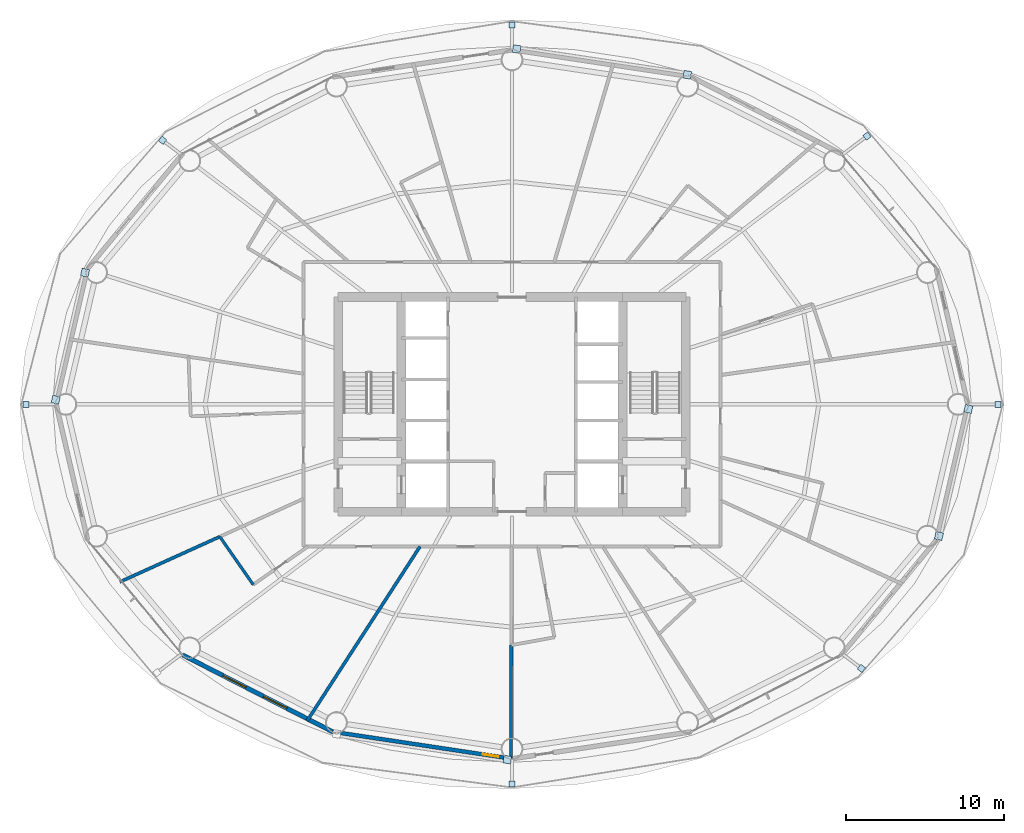
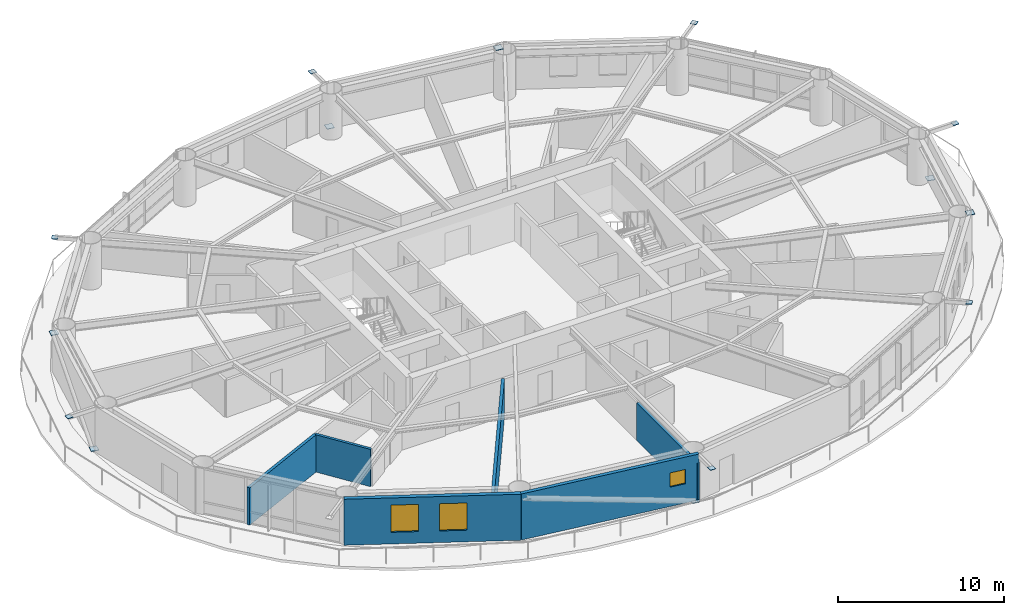
# One storey, part 17 of 24: 14 plates, 6 walls, 3 windows, 3 openings.
"""IFC4 building model written with IfcOpenShell, lengths in metres."""

from ifc_helpers import new_model, si_unit, direction, frame, frame_2d, origin, origin_2d, place, context, subcontext, project, spatial, rectangle, extrude, material, layer, layer_set, type_object, element, fill, save


model = new_model("IFC4")

# Units and contexts
model_context = context("Model", 3, precision=1e-05, world=origin(), true_north=direction((0.0, 1.0)))
body_context = subcontext(model_context, "Body", "Model", "MODEL_VIEW")
ifc_project = project(units=[si_unit("LENGTHUNIT", "METRE"), si_unit("AREAUNIT", "SQUARE_METRE"), si_unit("VOLUMEUNIT", "CUBIC_METRE"), si_unit("PLANEANGLEUNIT", "RADIAN"), si_unit("MASSUNIT", "GRAM", prefix="KILO")], contexts=[model_context])

# Site, building, storey
site_placement = place(None, origin())
site = spatial("IfcSite", under=ifc_project, at=site_placement, CompositionType="ELEMENT")
building_placement = place(site_placement, origin())
building = spatial("IfcBuilding", under=site, at=building_placement, Name="Sarneth Arch Tower", CompositionType="ELEMENT")
storey_placement = place(building_placement, frame((0.0, 0.0, 123.60009765625)))
storey = spatial("IfcBuildingStorey", under=building, at=storey_placement, Name="L31", CompositionType="ELEMENT", Elevation=123.60009765625)

# Plates
ifc_material_1 = material(Name="Steel S355", Category="steel")
ifc_layer_1 = layer(ifc_material_1, 0.035888671875)
ifc_layer_set_1 = layer_set([ifc_layer_1], Name="Steel S355")
plate_type = type_object("IfcPlateType", Name="PLT-GUSSET-30", PredefinedType="SHEET", material=ifc_layer_set_1)
for number, where, z_axis, x_axis, name in (
    (1, (78.773193359375, 42.0, 3.2021484375), (0.0, 0.0, 1.0), (1.0, 0.0, 0.0), "Steel end cap plate GP-1"),
    (2, (70.469970703125, 58.98095703125, 3.2021484375), (0.0, 0.0, 1.0), (0.797794439539, 0.602929541689, 0.0), "Steel end cap plate GP-1"),
):
    element("IfcPlate", number, at=place(storey_placement, frame(where, z_axis=z_axis, x_axis=x_axis)), inside=storey, type_object=plate_type, Name=name, PredefinedType="SHEET", context=body_context, shape_type="SweptSolid", body=[
        extrude(rectangle(XDim=0.3798828125, YDim=0.3798828125, at=origin_2d()), origin(), (0.0, 0.0, 1.0), 0.035888671875),
    ])
for number, where, z_axis, x_axis, name in (
    (3, (48.296630859375, 64.4853515625, 0.001953125), (0.0, 0.0, 1.0), (-0.988860535448, 0.148845024885, 0.0), "Steel end cap plate GP-1"),
    (4, (59.0927734375, 62.859619140625, 2.9951171875), (0.0, 0.0, 1.0), (-0.988860535448, 0.148845024885, 0.0), "Steel end cap plate GP-1"),
):
    element("IfcPlate", number, at=place(storey_placement, frame(where, z_axis=z_axis, x_axis=x_axis)), inside=storey, type_object=plate_type, Name=name, PredefinedType="SHEET", context=body_context, shape_type="SweptSolid", body=[
        extrude(rectangle(XDim=0.486083984375, YDim=0.486083984375, at=origin_2d()), origin(), (0.0, 0.0, 1.0), 0.035888671875),
    ])
for number, where, z_axis, x_axis, name in (
    (5, (48.0, 66.013427734375, 3.2021484375), (0.0, 0.0, 1.0), (0.0, 1.0, 0.0), "Steel end cap plate GP-1"),
    (6, (25.885009765625, 58.712646484375, 3.2021484375), (0.0, 0.0, 1.0), (-0.797794439539, 0.602929541689, 0.0), "Steel end cap plate GP-1"),
):
    element("IfcPlate", number, at=place(storey_placement, frame(where, z_axis=z_axis, x_axis=x_axis)), inside=storey, type_object=plate_type, Name=name, PredefinedType="SHEET", context=body_context, shape_type="SweptSolid", body=[
        extrude(rectangle(XDim=0.3798828125, YDim=0.3798828125, at=origin_2d()), origin(), (0.0, 0.0, 1.0), 0.035888671875),
    ])
for number, where, z_axis, x_axis, name in (
    (7, (19.121337890625, 42.292236328125, 0.001953125), (0.0, 0.0, 1.0), (-0.225291159947, -0.974291482694, 0.0), "Steel end cap plate GP-1"),
    (8, (20.98046875, 50.32958984375, 2.9951171875), (0.0, 0.0, 1.0), (-0.225291159947, -0.974291482694, 0.0), "Steel end cap plate GP-1"),
):
    element("IfcPlate", number, at=place(storey_placement, frame(where, z_axis=z_axis, x_axis=x_axis)), inside=storey, type_object=plate_type, Name=name, PredefinedType="SHEET", context=body_context, shape_type="SweptSolid", body=[
        extrude(rectangle(XDim=0.486083984375, YDim=0.486083984375, at=origin_2d()), origin(), (0.0, 0.0, 1.0), 0.035888671875),
    ])
plate_1_placement = place(storey_placement, frame((17.226806640625, 42.0, 3.2021484375), z_axis=(0.0, 0.0, 1.0), x_axis=(-1.0, 0.0, 0.0)))
element("IfcPlate", 9, at=plate_1_placement, inside=storey, type_object=plate_type, Name="Steel end cap plate GP-1", PredefinedType="SHEET", context=body_context, shape_type="SweptSolid", body=[
    extrude(rectangle(XDim=0.3798828125, YDim=0.3798828125, at=origin_2d()), origin(), (0.0, 0.0, 1.0), 0.035888671875),
])
plate_2_placement = place(storey_placement, frame((47.703369140625, 19.5146484375, 0.001953125), z_axis=(0.0, 0.0, 1.0), x_axis=(0.988860535448, -0.148845024885, 0.0)))
element("IfcPlate", 10, at=plate_2_placement, inside=storey, type_object=plate_type, Name="Steel end cap plate GP-1", PredefinedType="SHEET", context=body_context, shape_type="SweptSolid", body=[
    extrude(rectangle(XDim=0.486083984375, YDim=0.486083984375, at=origin_2d()), origin(), (0.0, 0.0, 1.0), 0.035888671875),
])
for number, where, z_axis, x_axis, name in (
    (11, (48.0, 17.986572265625, 3.2021484375), (0.0, 0.0, 1.0), (0.0, -1.0, 0.0), "Steel end cap plate GP-1"),
    (12, (70.114990234375, 25.287353515625, 3.2021484375), (0.0, 0.0, 1.0), (0.797794439539, -0.602929541689, 0.0), "Steel end cap plate GP-1"),
):
    element("IfcPlate", number, at=place(storey_placement, frame(where, z_axis=z_axis, x_axis=x_axis)), inside=storey, type_object=plate_type, Name=name, PredefinedType="SHEET", context=body_context, shape_type="SweptSolid", body=[
        extrude(rectangle(XDim=0.3798828125, YDim=0.3798828125, at=origin_2d()), origin(), (0.0, 0.0, 1.0), 0.035888671875),
    ])
for number, where, z_axis, x_axis, name in (
    (13, (76.878662109375, 41.707763671875, 0.001953125), (0.0, 0.0, 1.0), (0.225291159947, 0.974291482694, 0.0), "Steel end cap plate GP-1"),
    (14, (75.01953125, 33.67041015625, 2.9951171875), (0.0, 0.0, 1.0), (0.225291159947, 0.974291482694, 0.0), "Steel end cap plate GP-1"),
):
    element("IfcPlate", number, at=place(storey_placement, frame(where, z_axis=z_axis, x_axis=x_axis)), inside=storey, type_object=plate_type, Name=name, PredefinedType="SHEET", context=body_context, shape_type="SweptSolid", body=[
        extrude(rectangle(XDim=0.486083984375, YDim=0.486083984375, at=origin_2d()), origin(), (0.0, 0.0, 1.0), 0.035888671875),
    ])

# Wall, opening, window
ifc_material_2 = material(Name="Extruded terracotta rainscreen on Concrete C40/50 backing", Category="masonry")
ifc_layer_2 = layer(ifc_material_2, 0.25)
ifc_layer_set_2 = layer_set([ifc_layer_2], Name="Extruded terracotta rainscreen on Concrete C40/50 backing")
wall_type_1 = type_object("IfcWallType", Name="WALL-EXT-SPAND-250", PredefinedType="SOLIDWALL", material=ifc_layer_set_2)
wall_1_placement = place(storey_placement, frame((36.648681640625, 21.27734375, 0.0), z_axis=(0.0, 0.0, 1.0), x_axis=(0.988877774656, -0.148730450117, 0.0)))
wall_1 = element("IfcWall", 15, at=wall_1_placement, inside=storey, type_object=wall_type_1, Name="L31 Terracotta perimeter wall 12", PredefinedType="SOLIDWALL", context=body_context, shape_type="SweptSolid", body=[
    extrude(rectangle(XDim=11.47900390625, YDim=0.25, at=frame_2d((5.739501953125, 0.0))), origin(), (0.0, 0.0, 1.0), 3.3798828125),
])
opening_1_placement = place(wall_1_placement, frame((9.605224609375, 0.0, 1.419921875)))
opening_1 = element("IfcOpeningElement", 16, at=opening_1_placement, cuts=wall_1, Name="Opening W-14", PredefinedType="OPENING", context=body_context, shape_type="SweptSolid", body=[
    extrude(rectangle(XDim=1.0, YDim=1.050048828125, at=frame_2d((0.5, 0.52490234375))), frame((0.0, 0.135009765625, 0.0), z_axis=(0.0, -1.0, 0.0), x_axis=(1.0, 0.0, 0.0)), (0.0, 0.0, 1.0), 0.27001953125),
])
ifc_material_3 = material(Name="Thermally broken Aluminium 6063-T6 and low-e laminated IGU", Category="aluminium")
window_type_1 = type_object("IfcWindowType", Name="WIN-TWR-1000x1050", PartitioningType="SINGLE_PANEL", PredefinedType="WINDOW", material=ifc_material_3)
window_1_placement = place(opening_1_placement, origin())
window_1 = element("IfcWindow", 17, at=window_1_placement, inside=storey, type_object=window_type_1, Name="L31 Dwelling bedroom window 01", OverallHeight=1.050048828125, OverallWidth=1.0, PartitioningType="SINGLE_PANEL", PredefinedType="WINDOW", context=body_context, shape_type="SweptSolid", body=[
    extrude(rectangle(XDim=1.0, YDim=1.050048828125, at=frame_2d((0.5, 0.52490234375))), frame((0.0, 0.030029296875, 0.0), z_axis=(0.0, -1.0, 0.0), x_axis=(1.0, 0.0, 0.0)), (0.0, 0.0, 1.0), 0.06005859375),
])
fill(opening_1, window_1)

# Wall, openings, windows
ifc_material_4 = material(Name="Extruded terracotta rainscreen on Concrete C40/50 backing", Category="masonry")
ifc_layer_3 = layer(ifc_material_4, 0.280029296875)
ifc_layer_set_3 = layer_set([ifc_layer_3], Name="Extruded terracotta rainscreen on Concrete C40/50 backing")
wall_type_2 = type_object("IfcWallType", Name="WALL-EXT-TERRA-280", PredefinedType="SOLIDWALL", material=ifc_layer_set_3)
wall_2_placement = place(storey_placement, frame((27.159912109375, 26.1396484375, 0.0), z_axis=(0.0, 0.0, 1.0), x_axis=(0.889959505023, -0.45603955905, 0.0)))
wall_2 = element("IfcWall", 18, at=wall_2_placement, inside=storey, type_object=wall_type_2, Name="L31 Terracotta perimeter wall 11", PredefinedType="SOLIDWALL", context=body_context, shape_type="SweptSolid", body=[
    extrude(rectangle(XDim=10.662109375, YDim=0.280029296875, at=frame_2d((5.3310546875, 0.0))), origin(), (0.0, 0.0, 1.0), 3.3798828125),
])
opening_2_placement = place(wall_2_placement, frame((2.84765625, 0.0, 0.85009765625)))
opening_2 = element("IfcOpeningElement", 19, at=opening_2_placement, cuts=wall_2, Name="Opening W-05", PredefinedType="OPENING", context=body_context, shape_type="SweptSolid", body=[
    extrude(rectangle(XDim=1.64990234375, YDim=2.0, at=frame_2d((0.824951171875, 1.0))), frame((0.0, 0.14990234375, 0.0), z_axis=(0.0, -1.0, 0.0), x_axis=(1.0, 0.0, 0.0)), (0.0, 0.0, 1.0), 0.300048828125),
])
opening_3_placement = place(wall_2_placement, frame((5.7548828125, 0.0, 0.85009765625)))
opening_3 = element("IfcOpeningElement", 20, at=opening_3_placement, cuts=wall_2, Name="Opening W-05", PredefinedType="OPENING", context=body_context, shape_type="SweptSolid", body=[
    extrude(rectangle(XDim=1.64990234375, YDim=2.0, at=frame_2d((0.824951171875, 1.0))), frame((0.0, 0.14990234375, 0.0), z_axis=(0.0, -1.0, 0.0), x_axis=(1.0, 0.0, 0.0)), (0.0, 0.0, 1.0), 0.300048828125),
])
ifc_material_5 = material(Name="Thermally broken Aluminium 6063-T6 and low-e laminated IGU", Category="aluminium")
window_type_2 = type_object("IfcWindowType", Name="WIN-TWR-1650x2000", PartitioningType="DOUBLE_PANEL_VERTICAL", PredefinedType="WINDOW", material=ifc_material_5)
window_2_placement = place(opening_2_placement, origin())
window_2 = element("IfcWindow", 21, at=window_2_placement, inside=storey, type_object=window_type_2, Name="L31 Exterior window 11A", OverallHeight=2.0, OverallWidth=1.64990234375, PartitioningType="SINGLE_PANEL", PredefinedType="WINDOW", context=body_context, shape_type="SweptSolid", body=[
    extrude(rectangle(XDim=1.64990234375, YDim=2.0, at=frame_2d((0.824951171875, 1.0))), frame((0.0, 0.030029296875, 0.0), z_axis=(0.0, -1.0, 0.0), x_axis=(1.0, 0.0, 0.0)), (0.0, 0.0, 1.0), 0.06005859375),
])
fill(opening_2, window_2)
window_3_placement = place(opening_3_placement, origin())
window_3 = element("IfcWindow", 22, at=window_3_placement, inside=storey, type_object=window_type_2, Name="L31 Exterior window 11B", OverallHeight=2.0, OverallWidth=1.64990234375, PartitioningType="SINGLE_PANEL", PredefinedType="WINDOW", context=body_context, shape_type="SweptSolid", body=[
    extrude(rectangle(XDim=1.64990234375, YDim=2.0, at=frame_2d((0.824951171875, 1.0))), frame((0.0, 0.030029296875, 0.0), z_axis=(0.0, -1.0, 0.0), x_axis=(1.0, 0.0, 0.0)), (0.0, 0.0, 1.0), 0.06005859375),
])
fill(opening_3, window_3)

# Walls
ifc_material_6 = material(Name="Moisture-resistant plumbing chase wall", Category="gypsum")
ifc_layer_4 = layer(ifc_material_6, 0.179931640625)
ifc_layer_set_4 = layer_set([ifc_layer_4], Name="Moisture-resistant plumbing chase wall")
wall_type_3 = type_object("IfcWallType", Name="WALL-PLUMB-180", PredefinedType="PLUMBINGWALL", material=ifc_layer_set_4)
wall_3_placement = place(storey_placement, frame((31.621826171875, 30.58984375, 0.0), z_axis=(0.0, 0.0, 1.0), x_axis=(-0.571609603384, 0.820525722521, 0.0)))
element("IfcWall", 23, at=wall_3_placement, inside=storey, type_object=wall_type_3, Name="L31 Interior partition W-L31-TP-049", PredefinedType="PLUMBINGWALL", context=body_context, shape_type="SweptSolid", body=[
    extrude(rectangle(XDim=3.69970703125, YDim=0.179931640625, at=frame_2d((1.849853515625, 0.0))), origin(), (0.0, 0.0, 1.0), 2.739990234375),
])
ifc_material_7 = material(Name="Double steel-stud acoustic drywall", Category="steel")
ifc_layer_5 = layer(ifc_material_7, 0.199951171875)
ifc_layer_set_5 = layer_set([ifc_layer_5], Name="Double steel-stud acoustic drywall")
wall_type_4 = type_object("IfcWallType", Name="WALL-UNIT-200", PredefinedType="PARTITIONING", material=ifc_layer_set_5)
wall_4_placement = place(storey_placement, frame((35.037109375, 21.96923828125, 0.0), z_axis=(0.0, 0.0, 1.0), x_axis=(0.543298274368, 0.839539745973, 0.0)))
element("IfcWall", 24, at=wall_4_placement, inside=storey, type_object=wall_type_4, Name="L31 Interior partition W-L31-TP-050", PredefinedType="PARTITIONING", context=body_context, shape_type="SweptSolid", body=[
    extrude(rectangle(XDim=13.13916015625, YDim=0.199951171875, at=frame_2d((6.569580078125, 0.0))), origin(), (0.0, 0.0, 1.0), 2.739990234375),
])
wall_5_placement = place(storey_placement, frame((47.928466796875, 19.460693359375, 0.0), z_axis=(0.0, 0.0, 1.0), x_axis=(0.003178198127, 0.999994949516, 0.0)))
element("IfcWall", 25, at=wall_5_placement, inside=storey, type_object=wall_type_4, Name="L31 Interior partition W-L31-TP-051", PredefinedType="PARTITIONING", context=body_context, shape_type="SweptSolid", body=[
    extrude(rectangle(XDim=7.297607421875, YDim=0.199951171875, at=frame_2d((3.64892578125, 0.0))), origin(), (0.0, 0.0, 1.0), 2.739990234375),
])
wall_6_placement = place(storey_placement, frame((23.1845703125, 30.76220703125, 0.0), z_axis=(0.0, 0.0, 1.0), x_axis=(0.910940213411, 0.412538395292, 0.0)))
element("IfcWall", 26, at=wall_6_placement, inside=storey, type_object=wall_type_4, Name="L31 Interior partition W-L31-TP-046", PredefinedType="PARTITIONING", context=body_context, shape_type="SweptSolid", body=[
    extrude(rectangle(XDim=6.940673828125, YDim=0.199951171875, at=frame_2d((3.47021484375, 0.0))), origin(), (0.0, 0.0, 1.0), 2.739990234375),
])

save(model, "model.ifc")
